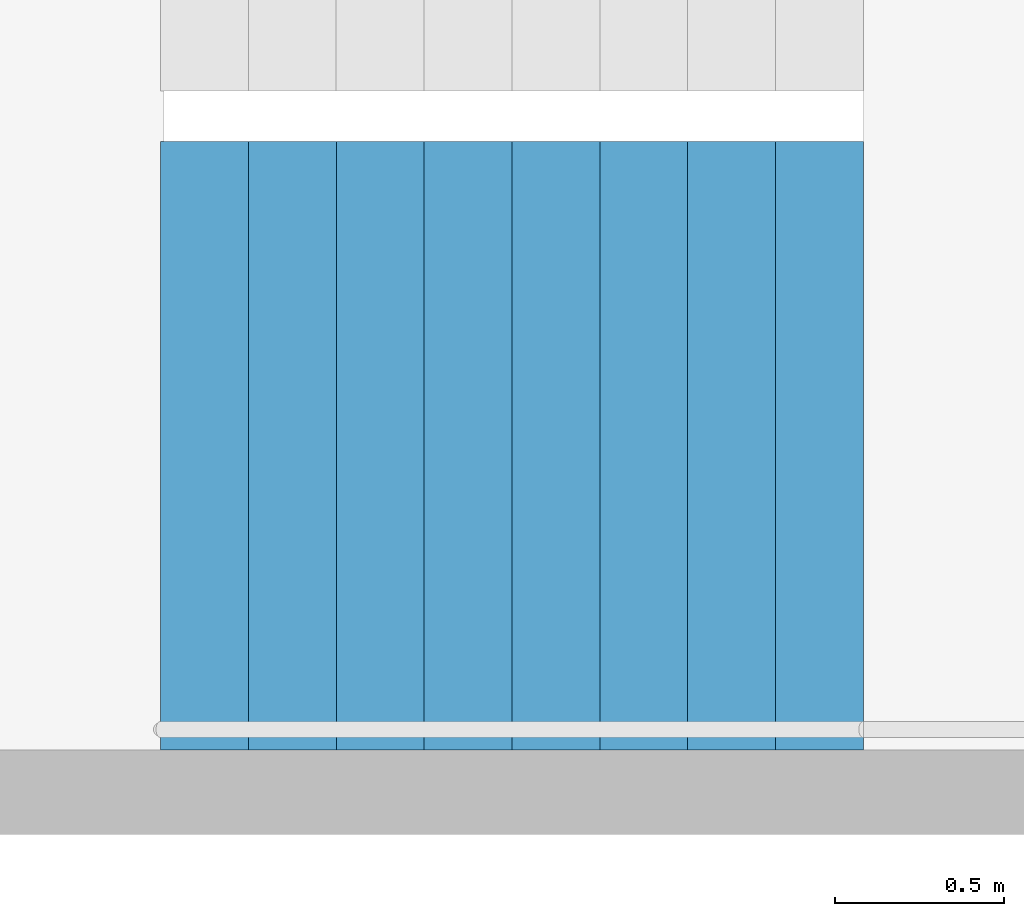
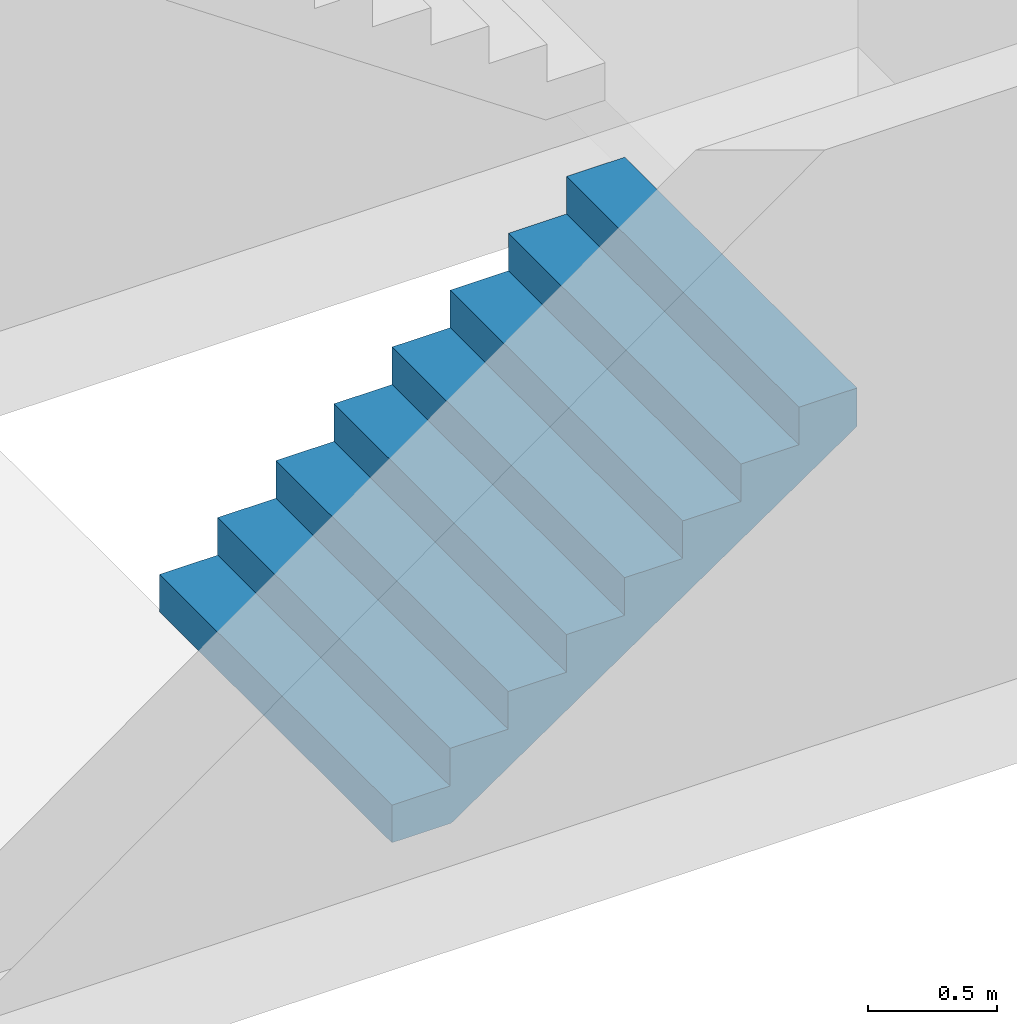
# One storey, part 23 of 29: 1 stair flight, 1 element without a shape of its own.
"""IFC4 building model written with IfcOpenShell, lengths in metres."""

from ifc_helpers import new_model, si_unit, direction, frame, origin, place, context, subcontext, project, spatial, triangles, material, type_object, element, aggregate, save


model = new_model("IFC4")

# Units and contexts
model_context = context("Model", 3, precision=1e-05, world=origin(), true_north=direction((0.0, 1.0)))
body_context = subcontext(model_context, "Body", "Model", "MODEL_VIEW")
ifc_project = project(units=[si_unit("LENGTHUNIT", "METRE"), si_unit("AREAUNIT", "SQUARE_METRE"), si_unit("VOLUMEUNIT", "CUBIC_METRE"), si_unit("PLANEANGLEUNIT", "RADIAN"), si_unit("MASSUNIT", "GRAM", prefix="KILO")], contexts=[model_context])

# Site, building, storey
site_placement = place(None, origin())
site = spatial("IfcSite", under=ifc_project, at=site_placement, CompositionType="ELEMENT")
building_placement = place(site_placement, origin())
building = spatial("IfcBuilding", under=site, at=building_placement, Name="Hakoniwa Tower and Hamabe Station Hall", CompositionType="ELEMENT")
storey_placement = place(building_placement, frame((0.0, 0.0, 78.60009765625)))
storey = spatial("IfcBuildingStorey", under=building, at=storey_placement, Name="L21", CompositionType="ELEMENT", Elevation=78.60009765625)

# Stair, stair flight
ifc_material_1 = material(Name="Concrete C40", Category="concrete")
stair_type = type_object("IfcStairType", Name="ESCAPE STAIR 1800", PredefinedType="HALF_TURN_STAIR", material=ifc_material_1)
stair_placement = place(storey_placement, origin())
stair = element("IfcStair", 1, at=stair_placement, inside=storey, type_object=stair_type, Name="Escape stair ST-1 L21", PredefinedType="HALF_TURN_STAIR")
ifc_material_2 = material(Name="Concrete C40", Category="concrete")
stair_flight_type = type_object("IfcStairFlightType", Name="STAIR FLIGHT 1800", PredefinedType="STRAIGHT", material=ifc_material_2)
stair_flight_placement = place(storey_placement, frame((-24.39990234375, 4.64990234375, 0.0), z_axis=(0.0, 0.0, 1.0), x_axis=(1.0, 0.0, 0.0)))
stair_flight = element("IfcStairFlight", 2, at=stair_flight_placement, type_object=stair_flight_type, Name="ST-1 flight 1", NumberOfRisers=9, NumberOfTreads=8, PredefinedType="STRAIGHT", RiserHeight=0.177777778, TreadLength=0.26, context=body_context, shape_type="Tessellation", body=[
    triangles([(0.0, 0.89990234375, 0.0), (0.260009765625, 0.89990234375, 0.0), (0.265625, 0.89990234375, 0.0), (0.52001953125, 0.89990234375, 0.174072265625), (0.780029296875, 0.89990234375, 0.351806640625), (1.0400390625, 0.89990234375, 0.529541015625), (1.300048828125, 0.89990234375, 0.707275390625), (1.56005859375, 0.89990234375, 0.885009765625), (1.820068359375, 0.89990234375, 1.062744140625), (2.080078125, 0.89990234375, 1.24072265625), (2.080078125, 0.89990234375, 1.422119140625), (1.820068359375, 0.89990234375, 1.422119140625), (1.820068359375, 0.89990234375, 1.244384765625), (1.56005859375, 0.89990234375, 1.244384765625), (1.56005859375, 0.89990234375, 1.066650390625), (1.300048828125, 0.89990234375, 1.066650390625), (1.300048828125, 0.89990234375, 0.888916015625), (1.0400390625, 0.89990234375, 0.888916015625), (1.0400390625, 0.89990234375, 0.711181640625), (0.780029296875, 0.89990234375, 0.711181640625), (0.780029296875, 0.89990234375, 0.533447265625), (0.52001953125, 0.89990234375, 0.533447265625), (0.52001953125, 0.89990234375, 0.35546875), (0.265625, 0.89990234375, 0.35546875), (0.260009765625, 0.89990234375, 0.35546875), (0.260009765625, 0.89990234375, 0.177734375), (0.0, 0.89990234375, 0.177734375), (0.0, 0.06005859375, 0.0), (0.260009765625, 0.06005859375, 0.0), (0.265625, 0.06005859375, 0.0), (0.52001953125, 0.06005859375, 0.174072265625), (0.780029296875, 0.06005859375, 0.351806640625), (1.0400390625, 0.06005859375, 0.529541015625), (1.300048828125, 0.06005859375, 0.707275390625), (1.56005859375, 0.06005859375, 0.885009765625), (1.820068359375, 0.06005859375, 1.062744140625), (2.080078125, 0.06005859375, 1.24072265625), (2.080078125, 0.06005859375, 1.422119140625), (1.820068359375, 0.06005859375, 1.422119140625), (1.820068359375, 0.06005859375, 1.244384765625), (1.56005859375, 0.06005859375, 1.244384765625), (1.56005859375, 0.06005859375, 1.066650390625), (1.300048828125, 0.06005859375, 1.066650390625), (1.300048828125, 0.06005859375, 0.888916015625), (1.0400390625, 0.06005859375, 0.888916015625), (1.0400390625, 0.06005859375, 0.711181640625), (0.780029296875, 0.06005859375, 0.711181640625), (0.780029296875, 0.06005859375, 0.533447265625), (0.52001953125, 0.06005859375, 0.533447265625), (0.52001953125, 0.06005859375, 0.35546875), (0.265625, 0.06005859375, 0.35546875), (0.260009765625, 0.06005859375, 0.35546875), (0.260009765625, 0.06005859375, 0.177734375), (0.0, 0.06005859375, 0.177734375), (0.0, 0.04296875, 0.0), (0.260009765625, 0.04296875, 0.0), (0.265625, 0.04296875, 0.0), (0.52001953125, 0.04296875, 0.174072265625), (0.780029296875, 0.04296875, 0.351806640625), (1.0400390625, 0.04296875, 0.529541015625), (1.300048828125, 0.04296875, 0.707275390625), (1.56005859375, 0.04296875, 0.885009765625), (1.820068359375, 0.04296875, 1.062744140625), (2.080078125, 0.04296875, 1.24072265625), (2.080078125, 0.04296875, 1.422119140625), (1.820068359375, 0.04296875, 1.422119140625), (1.820068359375, 0.04296875, 1.244384765625), (1.56005859375, 0.04296875, 1.244384765625), (1.56005859375, 0.04296875, 1.066650390625), (1.300048828125, 0.04296875, 1.066650390625), (1.300048828125, 0.04296875, 0.888916015625), (1.0400390625, 0.04296875, 0.888916015625), (1.0400390625, 0.04296875, 0.711181640625), (0.780029296875, 0.04296875, 0.711181640625), (0.780029296875, 0.04296875, 0.533447265625), (0.52001953125, 0.04296875, 0.533447265625), (0.52001953125, 0.04296875, 0.35546875), (0.265625, 0.04296875, 0.35546875), (0.260009765625, 0.04296875, 0.35546875), (0.260009765625, 0.04296875, 0.177734375), (0.0, 0.04296875, 0.177734375), (0.0, 0.025634765625, 0.0), (0.260009765625, 0.025634765625, 0.0), (0.265625, 0.025634765625, 0.0), (0.52001953125, 0.025634765625, 0.174072265625), (0.780029296875, 0.025634765625, 0.351806640625), (1.0400390625, 0.025634765625, 0.529541015625), (1.300048828125, 0.025634765625, 0.707275390625), (1.56005859375, 0.025634765625, 0.885009765625), (1.820068359375, 0.025634765625, 1.062744140625), (2.080078125, 0.025634765625, 1.24072265625), (2.080078125, 0.025634765625, 1.422119140625), (1.820068359375, 0.025634765625, 1.422119140625), (1.820068359375, 0.025634765625, 1.244384765625), (1.56005859375, 0.025634765625, 1.244384765625), (1.56005859375, 0.025634765625, 1.066650390625), (1.300048828125, 0.025634765625, 1.066650390625), (1.300048828125, 0.025634765625, 0.888916015625), (1.0400390625, 0.025634765625, 0.888916015625), (1.0400390625, 0.025634765625, 0.711181640625), (0.780029296875, 0.025634765625, 0.711181640625), (0.780029296875, 0.025634765625, 0.533447265625), (0.52001953125, 0.025634765625, 0.533447265625), (0.52001953125, 0.025634765625, 0.35546875), (0.265625, 0.025634765625, 0.35546875), (0.260009765625, 0.025634765625, 0.35546875), (0.260009765625, 0.025634765625, 0.177734375), (0.0, 0.025634765625, 0.177734375), (0.0, 0.008544921875, 0.0), (0.260009765625, 0.008544921875, 0.0), (0.265625, 0.008544921875, 0.0), (0.52001953125, 0.008544921875, 0.174072265625), (0.780029296875, 0.008544921875, 0.351806640625), (1.0400390625, 0.008544921875, 0.529541015625), (1.300048828125, 0.008544921875, 0.707275390625), (1.56005859375, 0.008544921875, 0.885009765625), (1.820068359375, 0.008544921875, 1.062744140625), (2.080078125, 0.008544921875, 1.24072265625), (2.080078125, 0.008544921875, 1.422119140625), (1.820068359375, 0.008544921875, 1.422119140625), (1.820068359375, 0.008544921875, 1.244384765625), (1.56005859375, 0.008544921875, 1.244384765625), (1.56005859375, 0.008544921875, 1.066650390625), (1.300048828125, 0.008544921875, 1.066650390625), (1.300048828125, 0.008544921875, 0.888916015625), (1.0400390625, 0.008544921875, 0.888916015625), (1.0400390625, 0.008544921875, 0.711181640625), (0.780029296875, 0.008544921875, 0.711181640625), (0.780029296875, 0.008544921875, 0.533447265625), (0.52001953125, 0.008544921875, 0.533447265625), (0.52001953125, 0.008544921875, 0.35546875), (0.265625, 0.008544921875, 0.35546875), (0.260009765625, 0.008544921875, 0.35546875), (0.260009765625, 0.008544921875, 0.177734375), (0.0, 0.008544921875, 0.177734375), (0.0, -0.008544921875, 0.0), (0.260009765625, -0.008544921875, 0.0), (0.265625, -0.008544921875, 0.0), (0.52001953125, -0.008544921875, 0.174072265625), (0.780029296875, -0.008544921875, 0.351806640625), (1.0400390625, -0.008544921875, 0.529541015625), (1.300048828125, -0.008544921875, 0.707275390625), (1.56005859375, -0.008544921875, 0.885009765625), (1.820068359375, -0.008544921875, 1.062744140625), (2.080078125, -0.008544921875, 1.24072265625), (2.080078125, -0.008544921875, 1.422119140625), (1.820068359375, -0.008544921875, 1.422119140625), (1.820068359375, -0.008544921875, 1.244384765625), (1.56005859375, -0.008544921875, 1.244384765625), (1.56005859375, -0.008544921875, 1.066650390625), (1.300048828125, -0.008544921875, 1.066650390625), (1.300048828125, -0.008544921875, 0.888916015625), (1.0400390625, -0.008544921875, 0.888916015625), (1.0400390625, -0.008544921875, 0.711181640625), (0.780029296875, -0.008544921875, 0.711181640625), (0.780029296875, -0.008544921875, 0.533447265625), (0.52001953125, -0.008544921875, 0.533447265625), (0.52001953125, -0.008544921875, 0.35546875), (0.265625, -0.008544921875, 0.35546875), (0.260009765625, -0.008544921875, 0.35546875), (0.260009765625, -0.008544921875, 0.177734375), (0.0, -0.008544921875, 0.177734375), (0.0, -0.025634765625, 0.0), (0.260009765625, -0.025634765625, 0.0), (0.265625, -0.025634765625, 0.0), (0.52001953125, -0.025634765625, 0.174072265625), (0.780029296875, -0.025634765625, 0.351806640625), (1.0400390625, -0.025634765625, 0.529541015625), (1.300048828125, -0.025634765625, 0.707275390625), (1.56005859375, -0.025634765625, 0.885009765625), (1.820068359375, -0.025634765625, 1.062744140625), (2.080078125, -0.025634765625, 1.24072265625), (2.080078125, -0.025634765625, 1.422119140625), (1.820068359375, -0.025634765625, 1.422119140625), (1.820068359375, -0.025634765625, 1.244384765625), (1.56005859375, -0.025634765625, 1.244384765625), (1.56005859375, -0.025634765625, 1.066650390625), (1.300048828125, -0.025634765625, 1.066650390625), (1.300048828125, -0.025634765625, 0.888916015625), (1.0400390625, -0.025634765625, 0.888916015625), (1.0400390625, -0.025634765625, 0.711181640625), (0.780029296875, -0.025634765625, 0.711181640625), (0.780029296875, -0.025634765625, 0.533447265625), (0.52001953125, -0.025634765625, 0.533447265625), (0.52001953125, -0.025634765625, 0.35546875), (0.265625, -0.025634765625, 0.35546875), (0.260009765625, -0.025634765625, 0.35546875), (0.260009765625, -0.025634765625, 0.177734375), (0.0, -0.025634765625, 0.177734375), (0.0, -0.04296875, 0.0), (0.260009765625, -0.04296875, 0.0), (0.265625, -0.04296875, 0.0), (0.52001953125, -0.04296875, 0.174072265625), (0.780029296875, -0.04296875, 0.351806640625), (1.0400390625, -0.04296875, 0.529541015625), (1.300048828125, -0.04296875, 0.707275390625), (1.56005859375, -0.04296875, 0.885009765625), (1.820068359375, -0.04296875, 1.062744140625), (2.080078125, -0.04296875, 1.24072265625), (2.080078125, -0.04296875, 1.422119140625), (1.820068359375, -0.04296875, 1.422119140625), (1.820068359375, -0.04296875, 1.244384765625), (1.56005859375, -0.04296875, 1.244384765625), (1.56005859375, -0.04296875, 1.066650390625), (1.300048828125, -0.04296875, 1.066650390625), (1.300048828125, -0.04296875, 0.888916015625), (1.0400390625, -0.04296875, 0.888916015625), (1.0400390625, -0.04296875, 0.711181640625), (0.780029296875, -0.04296875, 0.711181640625), (0.780029296875, -0.04296875, 0.533447265625), (0.52001953125, -0.04296875, 0.533447265625), (0.52001953125, -0.04296875, 0.35546875), (0.265625, -0.04296875, 0.35546875), (0.260009765625, -0.04296875, 0.35546875), (0.260009765625, -0.04296875, 0.177734375), (0.0, -0.04296875, 0.177734375), (0.0, -0.06005859375, 0.0), (0.260009765625, -0.06005859375, 0.0), (0.265625, -0.06005859375, 0.0), (0.52001953125, -0.06005859375, 0.174072265625), (0.780029296875, -0.06005859375, 0.351806640625), (1.0400390625, -0.06005859375, 0.529541015625), (1.300048828125, -0.06005859375, 0.707275390625), (1.56005859375, -0.06005859375, 0.885009765625), (1.820068359375, -0.06005859375, 1.062744140625), (2.080078125, -0.06005859375, 1.24072265625), (2.080078125, -0.06005859375, 1.422119140625), (1.820068359375, -0.06005859375, 1.422119140625), (1.820068359375, -0.06005859375, 1.244384765625), (1.56005859375, -0.06005859375, 1.244384765625), (1.56005859375, -0.06005859375, 1.066650390625), (1.300048828125, -0.06005859375, 1.066650390625), (1.300048828125, -0.06005859375, 0.888916015625), (1.0400390625, -0.06005859375, 0.888916015625), (1.0400390625, -0.06005859375, 0.711181640625), (0.780029296875, -0.06005859375, 0.711181640625), (0.780029296875, -0.06005859375, 0.533447265625), (0.52001953125, -0.06005859375, 0.533447265625), (0.52001953125, -0.06005859375, 0.35546875), (0.265625, -0.06005859375, 0.35546875), (0.260009765625, -0.06005859375, 0.35546875), (0.260009765625, -0.06005859375, 0.177734375), (0.0, -0.06005859375, 0.177734375), (0.0, -0.89990234375, 0.0), (0.260009765625, -0.89990234375, 0.0), (0.265625, -0.89990234375, 0.0), (0.52001953125, -0.89990234375, 0.174072265625), (0.780029296875, -0.89990234375, 0.351806640625), (1.0400390625, -0.89990234375, 0.529541015625), (1.300048828125, -0.89990234375, 0.707275390625), (1.56005859375, -0.89990234375, 0.885009765625), (1.820068359375, -0.89990234375, 1.062744140625), (2.080078125, -0.89990234375, 1.24072265625), (2.080078125, -0.89990234375, 1.422119140625), (1.820068359375, -0.89990234375, 1.422119140625), (1.820068359375, -0.89990234375, 1.244384765625), (1.56005859375, -0.89990234375, 1.244384765625), (1.56005859375, -0.89990234375, 1.066650390625), (1.300048828125, -0.89990234375, 1.066650390625), (1.300048828125, -0.89990234375, 0.888916015625), (1.0400390625, -0.89990234375, 0.888916015625), (1.0400390625, -0.89990234375, 0.711181640625), (0.780029296875, -0.89990234375, 0.711181640625), (0.780029296875, -0.89990234375, 0.533447265625), (0.52001953125, -0.89990234375, 0.533447265625), (0.52001953125, -0.89990234375, 0.35546875), (0.265625, -0.89990234375, 0.35546875), (0.260009765625, -0.89990234375, 0.35546875), (0.260009765625, -0.89990234375, 0.177734375), (0.0, -0.89990234375, 0.177734375)], [[2, 27, 26], [245, 269, 270], [2, 1, 27], [245, 270, 244], [3, 25, 24], [246, 267, 268], [3, 26, 25], [246, 268, 269], [3, 2, 26], [246, 269, 245], [4, 24, 23], [247, 266, 267], [4, 3, 24], [247, 267, 246], [5, 22, 21], [248, 264, 265], [5, 23, 22], [248, 265, 266], [5, 4, 23], [248, 266, 247], [6, 20, 19], [249, 262, 263], [6, 21, 20], [249, 263, 264], [6, 5, 21], [249, 264, 248], [7, 18, 17], [250, 260, 261], [7, 19, 18], [250, 261, 262], [7, 6, 19], [250, 262, 249], [8, 16, 15], [251, 258, 259], [8, 17, 16], [251, 259, 260], [8, 7, 17], [251, 260, 250], [9, 14, 13], [252, 256, 257], [9, 15, 14], [252, 257, 258], [9, 8, 15], [252, 258, 251], [10, 12, 11], [253, 254, 255], [10, 13, 12], [253, 255, 256], [10, 9, 13], [253, 256, 252], [1, 2, 29], [1, 29, 28], [28, 29, 56], [28, 56, 55], [55, 56, 83], [55, 83, 82], [82, 83, 110], [82, 110, 109], [109, 110, 137], [109, 137, 136], [136, 137, 164], [136, 164, 163], [163, 164, 191], [163, 191, 190], [190, 191, 218], [190, 218, 217], [217, 218, 245], [217, 245, 244], [2, 3, 30], [2, 30, 29], [29, 30, 57], [29, 57, 56], [56, 57, 84], [56, 84, 83], [83, 84, 111], [83, 111, 110], [110, 111, 138], [110, 138, 137], [137, 138, 165], [137, 165, 164], [164, 165, 192], [164, 192, 191], [191, 192, 219], [191, 219, 218], [218, 219, 246], [218, 246, 245], [3, 4, 31], [3, 31, 30], [30, 31, 58], [30, 58, 57], [57, 58, 85], [57, 85, 84], [84, 85, 112], [84, 112, 111], [111, 112, 139], [111, 139, 138], [138, 139, 166], [138, 166, 165], [165, 166, 193], [165, 193, 192], [192, 193, 220], [192, 220, 219], [219, 220, 247], [219, 247, 246], [4, 5, 32], [4, 32, 31], [31, 32, 59], [31, 59, 58], [58, 59, 86], [58, 86, 85], [85, 86, 113], [85, 113, 112], [112, 113, 140], [112, 140, 139], [139, 140, 167], [139, 167, 166], [166, 167, 194], [166, 194, 193], [193, 194, 221], [193, 221, 220], [220, 221, 248], [220, 248, 247], [5, 6, 33], [5, 33, 32], [32, 33, 60], [32, 60, 59], [59, 60, 87], [59, 87, 86], [86, 87, 114], [86, 114, 113], [113, 114, 141], [113, 141, 140], [140, 141, 168], [140, 168, 167], [167, 168, 195], [167, 195, 194], [194, 195, 222], [194, 222, 221], [221, 222, 249], [221, 249, 248], [6, 7, 34], [6, 34, 33], [33, 34, 61], [33, 61, 60], [60, 61, 88], [60, 88, 87], [87, 88, 115], [87, 115, 114], [114, 115, 142], [114, 142, 141], [141, 142, 169], [141, 169, 168], [168, 169, 196], [168, 196, 195], [195, 196, 223], [195, 223, 222], [222, 223, 250], [222, 250, 249], [7, 8, 35], [7, 35, 34], [34, 35, 62], [34, 62, 61], [61, 62, 89], [61, 89, 88], [88, 89, 116], [88, 116, 115], [115, 116, 143], [115, 143, 142], [142, 143, 170], [142, 170, 169], [169, 170, 197], [169, 197, 196], [196, 197, 224], [196, 224, 223], [223, 224, 251], [223, 251, 250], [8, 9, 36], [8, 36, 35], [35, 36, 63], [35, 63, 62], [62, 63, 90], [62, 90, 89], [89, 90, 117], [89, 117, 116], [116, 117, 144], [116, 144, 143], [143, 144, 171], [143, 171, 170], [170, 171, 198], [170, 198, 197], [197, 198, 225], [197, 225, 224], [224, 225, 252], [224, 252, 251], [9, 10, 37], [9, 37, 36], [36, 37, 64], [36, 64, 63], [63, 64, 91], [63, 91, 90], [90, 91, 118], [90, 118, 117], [117, 118, 145], [117, 145, 144], [144, 145, 172], [144, 172, 171], [171, 172, 199], [171, 199, 198], [198, 199, 226], [198, 226, 225], [225, 226, 253], [225, 253, 252], [10, 11, 38], [10, 38, 37], [37, 38, 65], [37, 65, 64], [64, 65, 92], [64, 92, 91], [91, 92, 119], [91, 119, 118], [118, 119, 146], [118, 146, 145], [145, 146, 173], [145, 173, 172], [172, 173, 200], [172, 200, 199], [199, 200, 227], [199, 227, 226], [226, 227, 254], [226, 254, 253], [11, 12, 39], [11, 39, 38], [38, 39, 66], [38, 66, 65], [65, 66, 93], [65, 93, 92], [92, 93, 120], [92, 120, 119], [119, 120, 147], [119, 147, 146], [146, 147, 174], [146, 174, 173], [173, 174, 201], [173, 201, 200], [200, 201, 228], [200, 228, 227], [227, 228, 255], [227, 255, 254], [12, 13, 40], [12, 40, 39], [39, 40, 67], [39, 67, 66], [66, 67, 94], [66, 94, 93], [93, 94, 121], [93, 121, 120], [120, 121, 148], [120, 148, 147], [147, 148, 175], [147, 175, 174], [174, 175, 202], [174, 202, 201], [201, 202, 229], [201, 229, 228], [228, 229, 256], [228, 256, 255], [13, 14, 41], [13, 41, 40], [40, 41, 68], [40, 68, 67], [67, 68, 95], [67, 95, 94], [94, 95, 122], [94, 122, 121], [121, 122, 149], [121, 149, 148], [148, 149, 176], [148, 176, 175], [175, 176, 203], [175, 203, 202], [202, 203, 230], [202, 230, 229], [229, 230, 257], [229, 257, 256], [14, 15, 42], [14, 42, 41], [41, 42, 69], [41, 69, 68], [68, 69, 96], [68, 96, 95], [95, 96, 123], [95, 123, 122], [122, 123, 150], [122, 150, 149], [149, 150, 177], [149, 177, 176], [176, 177, 204], [176, 204, 203], [203, 204, 231], [203, 231, 230], [230, 231, 258], [230, 258, 257], [15, 16, 43], [15, 43, 42], [42, 43, 70], [42, 70, 69], [69, 70, 97], [69, 97, 96], [96, 97, 124], [96, 124, 123], [123, 124, 151], [123, 151, 150], [150, 151, 178], [150, 178, 177], [177, 178, 205], [177, 205, 204], [204, 205, 232], [204, 232, 231], [231, 232, 259], [231, 259, 258], [16, 17, 44], [16, 44, 43], [43, 44, 71], [43, 71, 70], [70, 71, 98], [70, 98, 97], [97, 98, 125], [97, 125, 124], [124, 125, 152], [124, 152, 151], [151, 152, 179], [151, 179, 178], [178, 179, 206], [178, 206, 205], [205, 206, 233], [205, 233, 232], [232, 233, 260], [232, 260, 259], [17, 18, 45], [17, 45, 44], [44, 45, 72], [44, 72, 71], [71, 72, 99], [71, 99, 98], [98, 99, 126], [98, 126, 125], [125, 126, 153], [125, 153, 152], [152, 153, 180], [152, 180, 179], [179, 180, 207], [179, 207, 206], [206, 207, 234], [206, 234, 233], [233, 234, 261], [233, 261, 260], [18, 19, 46], [18, 46, 45], [45, 46, 73], [45, 73, 72], [72, 73, 100], [72, 100, 99], [99, 100, 127], [99, 127, 126], [126, 127, 154], [126, 154, 153], [153, 154, 181], [153, 181, 180], [180, 181, 208], [180, 208, 207], [207, 208, 235], [207, 235, 234], [234, 235, 262], [234, 262, 261], [19, 20, 47], [19, 47, 46], [46, 47, 74], [46, 74, 73], [73, 74, 101], [73, 101, 100], [100, 101, 128], [100, 128, 127], [127, 128, 155], [127, 155, 154], [154, 155, 182], [154, 182, 181], [181, 182, 209], [181, 209, 208], [208, 209, 236], [208, 236, 235], [235, 236, 263], [235, 263, 262], [20, 21, 48], [20, 48, 47], [47, 48, 75], [47, 75, 74], [74, 75, 102], [74, 102, 101], [101, 102, 129], [101, 129, 128], [128, 129, 156], [128, 156, 155], [155, 156, 183], [155, 183, 182], [182, 183, 210], [182, 210, 209], [209, 210, 237], [209, 237, 236], [236, 237, 264], [236, 264, 263], [21, 22, 49], [21, 49, 48], [48, 49, 76], [48, 76, 75], [75, 76, 103], [75, 103, 102], [102, 103, 130], [102, 130, 129], [129, 130, 157], [129, 157, 156], [156, 157, 184], [156, 184, 183], [183, 184, 211], [183, 211, 210], [210, 211, 238], [210, 238, 237], [237, 238, 265], [237, 265, 264], [22, 23, 50], [22, 50, 49], [49, 50, 77], [49, 77, 76], [76, 77, 104], [76, 104, 103], [103, 104, 131], [103, 131, 130], [130, 131, 158], [130, 158, 157], [157, 158, 185], [157, 185, 184], [184, 185, 212], [184, 212, 211], [211, 212, 239], [211, 239, 238], [238, 239, 266], [238, 266, 265], [23, 24, 51], [23, 51, 50], [50, 51, 78], [50, 78, 77], [77, 78, 105], [77, 105, 104], [104, 105, 132], [104, 132, 131], [131, 132, 159], [131, 159, 158], [158, 159, 186], [158, 186, 185], [185, 186, 213], [185, 213, 212], [212, 213, 240], [212, 240, 239], [239, 240, 267], [239, 267, 266], [24, 25, 52], [24, 52, 51], [51, 52, 79], [51, 79, 78], [78, 79, 106], [78, 106, 105], [105, 106, 133], [105, 133, 132], [132, 133, 160], [132, 160, 159], [159, 160, 187], [159, 187, 186], [186, 187, 214], [186, 214, 213], [213, 214, 241], [213, 241, 240], [240, 241, 268], [240, 268, 267], [25, 26, 53], [25, 53, 52], [52, 53, 80], [52, 80, 79], [79, 80, 107], [79, 107, 106], [106, 107, 134], [106, 134, 133], [133, 134, 161], [133, 161, 160], [160, 161, 188], [160, 188, 187], [187, 188, 215], [187, 215, 214], [214, 215, 242], [214, 242, 241], [241, 242, 269], [241, 269, 268], [26, 27, 54], [26, 54, 53], [53, 54, 81], [53, 81, 80], [80, 81, 108], [80, 108, 107], [107, 108, 135], [107, 135, 134], [134, 135, 162], [134, 162, 161], [161, 162, 189], [161, 189, 188], [188, 189, 216], [188, 216, 215], [215, 216, 243], [215, 243, 242], [242, 243, 270], [242, 270, 269], [27, 1, 28], [27, 28, 54], [54, 28, 55], [54, 55, 81], [81, 55, 82], [81, 82, 108], [108, 82, 109], [108, 109, 135], [135, 109, 136], [135, 136, 162], [162, 136, 163], [162, 163, 189], [189, 163, 190], [189, 190, 216], [216, 190, 217], [216, 217, 243], [243, 217, 244], [243, 244, 270]], closed=True),
])
aggregate(stair, [stair_flight])

save(model, "model.ifc")
